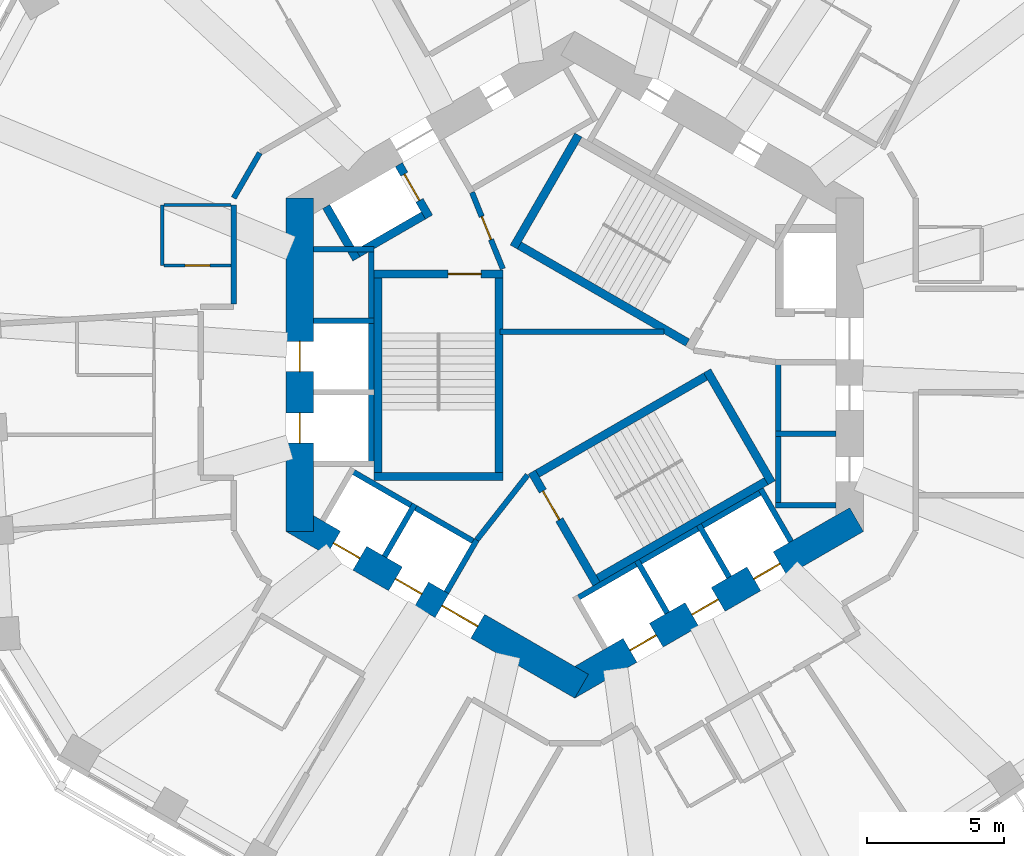
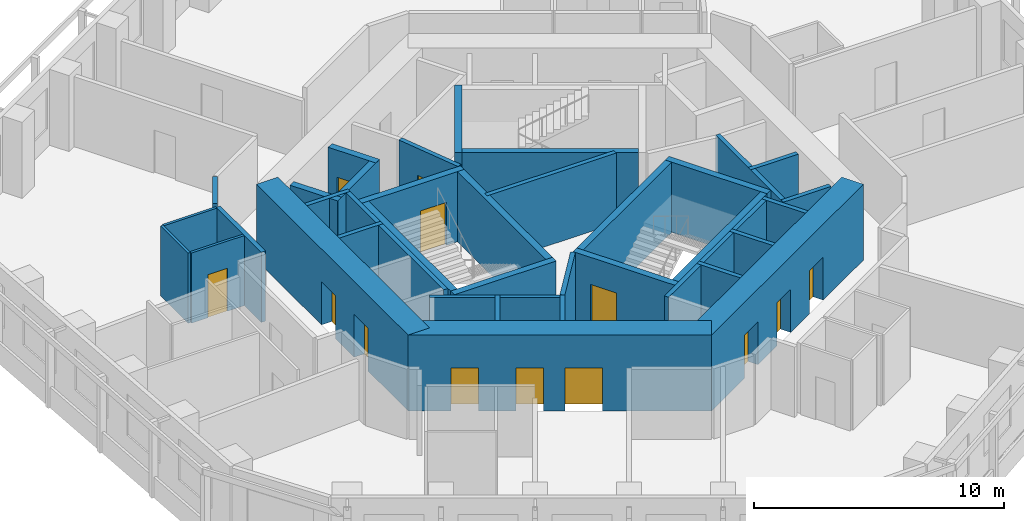
# One storey, part 5 of 11: 37 walls, 13 doors, 13 openings.
"""IFC4 building model written with IfcOpenShell, lengths in metres."""

import ifcopenshell
import ifcopenshell.guid

model = None  # the IFC model being written
_history = None  # IfcOwnerHistory: only IFC2X3 demands one
_inside = {}  # id of a spatial element -> (the spatial element, [elements in it])
_under = {}  # id of a project, library or spatial element -> (it, [spatial elements below it])
_declared = {}  # id of a project -> (the project, [libraries it declares])
_typed = {}  # id of a type object -> (the type object, [elements of that type])
_made_of = {}  # id of a material, layer set ... -> (it, [elements and type objects made of it])


def new_model(schema):
    """Start an empty IFC model of exactly this schema.

    Asked for "IFC4X3", IfcOpenShell would pick the latest addendum, in which some entities
    have other attributes; the version numbers below select the first issue.
    IFC2X3 requires an IfcOwnerHistory on every rooted entity: one is made here for all.
    """
    global model, _history
    if schema == "IFC4X3":
        model = ifcopenshell.file(schema_version=(4, 3, 0, 0))
    else:
        model = ifcopenshell.file(schema=schema)
    _inside.clear()
    _under.clear()
    _declared.clear()
    _typed.clear()
    _made_of.clear()
    _history = None
    if model.schema == "IFC2X3":
        org = make("IfcOrganization", Name="unknown")
        user = make(
            "IfcPersonAndOrganization",
            ThePerson=make("IfcPerson", FamilyName="unknown"),
            TheOrganization=org,
        )
        app = make(
            "IfcApplication",
            ApplicationDeveloper=org,
            Version="unknown",
            ApplicationFullName="unknown",
            ApplicationIdentifier="unknown",
        )
        _history = make(
            "IfcOwnerHistory",
            OwningUser=user,
            OwningApplication=app,
            ChangeAction="ADDED",
            CreationDate=0,
        )
    return model


def make(cls, **values):
    """One entity of the class cls with the attributes given. An attribute that is None is left unset."""
    return model.create_entity(
        cls, **{name: value for name, value in values.items() if value is not None}
    )


def rooted(cls, **values):
    """An entity with a GlobalId (a new one), such as an element, a storey or a relation."""
    return make(cls, GlobalId=ifcopenshell.guid.new(), OwnerHistory=_history, **values)


def si_unit(unit_type, name, prefix=None):
    """IfcSIUnit, for example si_unit("LENGTHUNIT", "METRE", prefix="MILLI")."""
    return make("IfcSIUnit", UnitType=unit_type, Prefix=prefix, Name=name)


def assignment(units):
    """IfcUnitAssignment: the units of a project."""
    return None if units is None else make("IfcUnitAssignment", Units=units)


def point(xyz):
    """IfcCartesianPoint."""
    return None if xyz is None else make("IfcCartesianPoint", Coordinates=xyz)


def direction(xyz):
    """IfcDirection."""
    return None if xyz is None else make("IfcDirection", DirectionRatios=xyz)


def frame(location, z_axis=None, x_axis=None):
    """IfcAxis2Placement3D, a coordinate frame: its origin and axes. An axis left out is left unset."""
    return make(
        "IfcAxis2Placement3D",
        Location=point(location),
        Axis=direction(z_axis),
        RefDirection=direction(x_axis),
    )


def frame_2d(location, x_axis=None):
    """IfcAxis2Placement2D, a coordinate frame in the plane: its origin and x axis."""
    return make(
        "IfcAxis2Placement2D", Location=point(location), RefDirection=direction(x_axis)
    )


def origin():
    """The frame at (0, 0, 0) with its axes left unset."""
    return frame((0.0, 0.0, 0.0))


def place(relative_to, where):
    """IfcLocalPlacement: puts the frame where relative to a parent placement (None: the world)."""
    return make(
        "IfcLocalPlacement", PlacementRelTo=relative_to, RelativePlacement=where
    )


def context(
    kind, dimensions, precision=None, world=None, true_north=None, identifier=None
):
    """IfcGeometricRepresentationContext, for example the 3D "Model" context."""
    return make(
        "IfcGeometricRepresentationContext",
        ContextIdentifier=identifier,
        ContextType=kind,
        CoordinateSpaceDimension=dimensions,
        Precision=precision,
        WorldCoordinateSystem=world,
        TrueNorth=true_north,
    )


def subcontext(parent, identifier, kind, view, scale=None):
    """IfcGeometricRepresentationSubContext, for example "Body" below "Model"."""
    return make(
        "IfcGeometricRepresentationSubContext",
        ContextIdentifier=identifier,
        ContextType=kind,
        ParentContext=parent,
        TargetScale=scale,
        TargetView=view,
    )


def project(units=None, contexts=None):
    """IfcProject with its units and contexts."""
    return rooted(
        "IfcProject",
        Name="project",
        RepresentationContexts=contexts,
        UnitsInContext=assignment(units),
    )


def spatial(cls, under=None, at=None, **own):
    """A site, building, storey or space (cls), placed at a placement, below another one or the project."""
    s = rooted(cls, ObjectPlacement=at, **own)
    if under is not None:
        _under.setdefault(under.id(), (under, []))[1].append(s)
    return s


def profile(cls, at=None, kind="AREA", **sizes):
    """A parametric profile (cls). Its sizes go by their IFC names, for example OverallWidth=200.0."""
    return make(cls, ProfileType=kind, Position=at, **sizes)


def rectangle(**sizes):
    """IfcRectangleProfileDef."""
    return profile("IfcRectangleProfileDef", **sizes)


def extrude(swept, where, along, depth):
    """IfcExtrudedAreaSolid: the profile swept, set in the frame where, extruded along a direction by depth."""
    return make(
        "IfcExtrudedAreaSolid",
        SweptArea=swept,
        Position=where,
        ExtrudedDirection=direction(along),
        Depth=depth,
    )


def shape(context_of_items, identifier, shape_type, items):
    """IfcShapeRepresentation: the items that make up one representation, for example the "Body"."""
    return make(
        "IfcShapeRepresentation",
        ContextOfItems=context_of_items,
        RepresentationIdentifier=identifier,
        RepresentationType=shape_type,
        Items=items,
    )


def material(Name=None, Category=None):
    """IfcMaterial."""
    return make("IfcMaterial", Name=Name, Category=Category)


def layer(
    of_material, thickness, ventilated=None, Name=None, Category=None, Priority=None
):
    """IfcMaterialLayer: one layer of a wall or slab, of a material (None: an air gap)."""
    return make(
        "IfcMaterialLayer",
        Material=of_material,
        LayerThickness=thickness,
        IsVentilated=ventilated,
        Name=Name,
        Category=Category,
        Priority=Priority,
    )


def layer_set(layers, Name=None):
    """IfcMaterialLayerSet."""
    return make("IfcMaterialLayerSet", MaterialLayers=layers, LayerSetName=Name)


def made_of(thing, what):
    """Note that an element or type object is made of a material, layer set ...; save() writes the relation."""
    if what is not None:
        _made_of.setdefault(what.id(), (what, []))[1].append(thing)
    return thing


def type_object(cls, material=None, **own):
    """A type object (cls), such as IfcWallType, which elements share."""
    return made_of(rooted(cls, **own), material)


def element(
    cls,
    number,
    at=None,
    inside=None,
    cuts=None,
    type_object=None,
    material=None,
    context=None,
    identifier="Body",
    shape_type=None,
    held_by="IfcProductDefinitionShape",
    body=None,
    shapes=None,
    **own,
):
    """One element of the class cls, such as IfcWall. Its Tag is "e" and its number.

    at: its placement. inside: the storey or other place that contains it. cuts: it is an
    opening in that element (IfcRelVoidsElement). A single representation is given by context,
    identifier, shape_type and body (its items); several are given by shapes. held_by: the class
    of the entity that holds the representations. save() writes the other relations.
    """
    e = rooted(cls, Tag="e%d" % number, ObjectPlacement=at, **own)
    if body is not None:
        shapes = [shape(context, identifier, shape_type, body)]
    if shapes is not None:
        e.Representation = make(held_by, Representations=shapes)
    if inside is not None:
        _inside.setdefault(inside.id(), (inside, []))[1].append(e)
    if cuts is not None:
        rooted(
            "IfcRelVoidsElement", RelatingBuildingElement=cuts, RelatedOpeningElement=e
        )
    if type_object is not None:
        _typed.setdefault(type_object.id(), (type_object, []))[1].append(e)
    return made_of(e, material)


def fill(opening, filler):
    """IfcRelFillsElement: the door or window that sits in an opening."""
    return rooted(
        "IfcRelFillsElement",
        RelatingOpeningElement=opening,
        RelatedBuildingElement=filler,
    )


def aggregate(whole, parts):
    """IfcRelAggregates: a whole, such as a stair, and the parts it consists of."""
    return rooted("IfcRelAggregates", RelatingObject=whole, RelatedObjects=parts)


def save(model, path):
    """Write the relations noted so far, then the file.

    IfcRelAggregates (storeys below a building ...), IfcRelContainedInSpatialStructure (elements
    in a storey), IfcRelDefinesByType, IfcRelAssociatesMaterial and IfcRelDeclares: one each for
    every whole, place, type object, material and project.
    """
    for whole, parts in _under.values():
        aggregate(whole, parts)
    for where, things in _inside.values():
        rooted(
            "IfcRelContainedInSpatialStructure",
            RelatedElements=things,
            RelatingStructure=where,
        )
    for kind, things in _typed.values():
        rooted("IfcRelDefinesByType", RelatedObjects=things, RelatingType=kind)
    for what, things in _made_of.values():
        rooted("IfcRelAssociatesMaterial", RelatedObjects=things, RelatingMaterial=what)
    for by, libraries in _declared.values():
        rooted("IfcRelDeclares", RelatingContext=by, RelatedDefinitions=libraries)
    model.write(path)


model = new_model("IFC4")

# Units and contexts
model_context = context("Model", 3, precision=1e-05, world=origin(), true_north=direction((0.0, 1.0)))
body_context = subcontext(model_context, "Body", "Model", "MODEL_VIEW")
ifc_project = project(units=[si_unit("LENGTHUNIT", "METRE"), si_unit("AREAUNIT", "SQUARE_METRE"), si_unit("VOLUMEUNIT", "CUBIC_METRE"), si_unit("PLANEANGLEUNIT", "RADIAN"), si_unit("MASSUNIT", "GRAM", prefix="KILO")], contexts=[model_context])

# Site, building, storey
site_placement = place(None, origin())
site = spatial("IfcSite", under=ifc_project, at=site_placement, CompositionType="ELEMENT")
building_placement = place(site_placement, origin())
building = spatial("IfcBuilding", under=site, at=building_placement, Name="Vanh Sen Convention Tower", CompositionType="ELEMENT")
storey_placement = place(building_placement, frame((0.0, 0.0, 172.5)))
storey = spatial("IfcBuildingStorey", under=building, at=storey_placement, Name="L42", CompositionType="ELEMENT", Elevation=172.5)

# Walls
ifc_material_1 = material(Name="Moisture-resistant gypsum board on steel studs", Category="steel")
ifc_layer_1 = layer(ifc_material_1, 0.1201171875)
ifc_layer_set_1 = layer_set([ifc_layer_1], Name="Moisture-resistant gypsum board on steel studs")
wall_type_1 = type_object("IfcWallType", Name="Bathroom partition 120", PredefinedType="PARTITIONING", material=ifc_layer_set_1)
wall_1_placement = place(storey_placement, frame((-15.0, 3.6123046875, 0.0), z_axis=(0.0, 0.0, 1.0), x_axis=(0.0, 1.0, 0.0)))
element("IfcWall", 1, at=wall_1_placement, inside=storey, type_object=wall_type_1, Name="Bathroom partition 120", PredefinedType="PARTITIONING", context=body_context, shape_type="SweptSolid", body=[
    extrude(rectangle(XDim=2.199951171875, YDim=0.1201171875, at=frame_2d((1.10009765625, 0.0))), origin(), (0.0, 0.0, 1.0), 3.419921875),
])
wall_2_placement = place(storey_placement, frame((-14.93994140625, 5.812255859375, 0.0), z_axis=(0.0, 0.0, 1.0), x_axis=(1.0, 0.0, 0.0)))
element("IfcWall", 2, at=wall_2_placement, inside=storey, type_object=wall_type_1, Name="Bathroom partition 120", PredefinedType="PARTITIONING", context=body_context, shape_type="SweptSolid", body=[
    extrude(rectangle(XDim=2.43994140625, YDim=0.1201171875, at=frame_2d((1.219970703125, 0.0))), origin(), (0.0, 0.0, 1.0), 3.419921875),
])

# Wall, opening, door
wall_3_placement = place(storey_placement, frame((-12.5, 3.6123046875, 0.0), z_axis=(0.0, 0.0, 1.0), x_axis=(-1.0, 0.0, 0.0)))
wall_3 = element("IfcWall", 3, at=wall_3_placement, inside=storey, type_object=wall_type_1, Name="Bathroom partition 120", PredefinedType="PARTITIONING", context=body_context, shape_type="SweptSolid", body=[
    extrude(rectangle(XDim=2.43994140625, YDim=0.1201171875, at=frame_2d((1.219970703125, 0.0))), origin(), (0.0, 0.0, 1.0), 3.419921875),
])
opening_1_placement = place(wall_3_placement, frame((0.77001953125, 0.0, 0.0)))
opening_1 = element("IfcOpeningElement", 4, at=opening_1_placement, cuts=wall_3, Name="Opening D41108", PredefinedType="OPENING", context=body_context, shape_type="SweptSolid", body=[
    extrude(rectangle(XDim=0.89990234375, YDim=2.10009765625, at=frame_2d((0.449951171875, 1.050048828125))), frame((0.0, 0.070068359375, 0.0), z_axis=(0.0, -1.0, 0.0), x_axis=(1.0, 0.0, 0.0)), (0.0, 0.0, 1.0), 0.14013671875),
])
ifc_material_2 = material(Name="Laminate door in steel frame", Category="steel")
door_type_1 = type_object("IfcDoorType", Name="Room internal door 900", OperationType="SINGLE_SWING_LEFT", PredefinedType="DOOR", material=ifc_material_2)
door_1_placement = place(opening_1_placement, origin())
door_1 = element("IfcDoor", 5, at=door_1_placement, inside=storey, type_object=door_type_1, Name="Internal room door D41108", OperationType="SINGLE_SWING_LEFT", OverallHeight=2.10009765625, OverallWidth=0.89990234375, PredefinedType="DOOR", context=body_context, shape_type="SweptSolid", body=[
    extrude(rectangle(XDim=0.89990234375, YDim=2.10009765625, at=frame_2d((0.449951171875, 1.050048828125))), frame((0.0, 0.02490234375, 0.0), z_axis=(0.0, -1.0, 0.0), x_axis=(1.0, 0.0, 0.0)), (0.0, 0.0, 1.0), 0.050048828125),
])
fill(opening_1, door_1)

# Wall, openings, doors
ifc_material_3 = material(Name="Concrete C80/95", Category="concrete")
ifc_layer_2 = layer(ifc_material_3, 1.0)
ifc_layer_set_2 = layer_set([ifc_layer_2], Name="Concrete C80/95")
wall_type_2 = type_object("IfcWallType", Name="Core outer wall 1000 C80/95", PredefinedType="SHEAR", material=ifc_layer_set_2)
wall_4_placement = place(storey_placement, frame((-10.0, 6.062255859375, 0.0), z_axis=(0.0, 0.0, 1.0), x_axis=(0.0, -1.0, 0.0)))
wall_4 = element("IfcWall", 6, at=wall_4_placement, inside=storey, type_object=wall_type_2, Name="Core wall face W L42", PredefinedType="SHEAR", context=body_context, shape_type="SweptSolid", body=[
    extrude(rectangle(XDim=12.12451171875, YDim=1.0, at=frame_2d((6.062255859375, 0.0))), origin(), (0.0, 0.0, 1.0), 3.699951171875),
])
opening_2_placement = place(wall_4_placement, frame((5.212158203125, 0.0, 0.0)))
opening_2 = element("IfcOpeningElement", 7, at=opening_2_placement, cuts=wall_4, Name="Opening LD-HR1", PredefinedType="OPENING", context=body_context, shape_type="SweptSolid", body=[
    extrude(rectangle(XDim=1.10009765625, YDim=2.10009765625, at=frame_2d((0.550048828125, 1.050048828125))), frame((0.0, 0.510009765625, 0.0), z_axis=(0.0, -1.0, 0.0), x_axis=(1.0, 0.0, 0.0)), (0.0, 0.0, 1.0), 1.02001953125),
])
opening_3_placement = place(wall_4_placement, frame((7.812255859375, 0.0, 0.0)))
opening_3 = element("IfcOpeningElement", 8, at=opening_3_placement, cuts=wall_4, Name="Opening LD-HR2", PredefinedType="OPENING", context=body_context, shape_type="SweptSolid", body=[
    extrude(rectangle(XDim=1.10009765625, YDim=2.10009765625, at=frame_2d((0.550048828125, 1.050048828125))), frame((0.0, 0.510009765625, 0.0), z_axis=(0.0, -1.0, 0.0), x_axis=(1.0, 0.0, 0.0)), (0.0, 0.0, 1.0), 1.02001953125),
])
ifc_material_4 = material(Name="Stainless steel", Category="steel")
door_type_2 = type_object("IfcDoorType", Name="Lift landing door 1100", OperationType="DOUBLE_DOOR_SLIDING", PredefinedType="DOOR", material=ifc_material_4)
door_2_placement = place(opening_2_placement, origin())
door_2 = element("IfcDoor", 9, at=door_2_placement, inside=storey, type_object=door_type_2, Name="Lift HR1 landing door LD-HR1", OperationType="DOUBLE_DOOR_SLIDING", OverallHeight=2.10009765625, OverallWidth=1.10009765625, PredefinedType="DOOR", context=body_context, shape_type="SweptSolid", body=[
    extrude(rectangle(XDim=1.10009765625, YDim=2.10009765625, at=frame_2d((0.550048828125, 1.050048828125))), frame((0.0, 0.02490234375, 0.0), z_axis=(0.0, -1.0, 0.0), x_axis=(1.0, 0.0, 0.0)), (0.0, 0.0, 1.0), 0.050048828125),
])
fill(opening_2, door_2)
door_3_placement = place(opening_3_placement, origin())
door_3 = element("IfcDoor", 10, at=door_3_placement, inside=storey, type_object=door_type_2, Name="Lift HR2 landing door LD-HR2", OperationType="DOUBLE_DOOR_SLIDING", OverallHeight=2.10009765625, OverallWidth=1.10009765625, PredefinedType="DOOR", context=body_context, shape_type="SweptSolid", body=[
    extrude(rectangle(XDim=1.10009765625, YDim=2.10009765625, at=frame_2d((0.550048828125, 1.050048828125))), frame((0.0, 0.02490234375, 0.0), z_axis=(0.0, -1.0, 0.0), x_axis=(1.0, 0.0, 0.0)), (0.0, 0.0, 1.0), 0.050048828125),
])
fill(opening_3, door_3)

wall_5_placement = place(storey_placement, frame((-10.25, -5.629150390625, 0.0), z_axis=(0.0, 0.0, 1.0), x_axis=(0.866022616891, -0.50000482701, 0.0)))
wall_5 = element("IfcWall", 11, at=wall_5_placement, inside=storey, type_object=wall_type_2, Name="Core wall face SW L42", PredefinedType="SHEAR", context=body_context, shape_type="SweptSolid", body=[
    extrude(rectangle(XDim=12.12451171875, YDim=1.0, at=frame_2d((6.062255859375, 0.0))), origin(), (0.0, 0.0, 1.0), 3.699951171875),
])
opening_4_placement = place(wall_5_placement, frame((6.26220703125, 0.0, 0.0)))
opening_4 = element("IfcOpeningElement", 12, at=opening_4_placement, cuts=wall_5, Name="Opening D41003", PredefinedType="OPENING", context=body_context, shape_type="SweptSolid", body=[
    extrude(rectangle(XDim=1.5, YDim=2.10009765625, at=frame_2d((0.75, 1.050048828125))), frame((0.0, 0.510009765625, 0.0), z_axis=(0.0, -1.0, 0.0), x_axis=(1.0, 0.0, 0.0)), (0.0, 0.0, 1.0), 1.02001953125),
])
opening_5_placement = place(wall_5_placement, frame((1.712158203125, 0.0, 0.0)))
opening_5 = element("IfcOpeningElement", 13, at=opening_5_placement, cuts=wall_5, Name="Opening LD-HR3", PredefinedType="OPENING", context=body_context, shape_type="SweptSolid", body=[
    extrude(rectangle(XDim=1.10009765625, YDim=2.10009765625, at=frame_2d((0.550048828125, 1.050048828125))), frame((0.0, 0.510009765625, 0.0), z_axis=(0.0, -1.0, 0.0), x_axis=(1.0, 0.0, 0.0)), (0.0, 0.0, 1.0), 1.02001953125),
])
opening_6_placement = place(wall_5_placement, frame((4.312255859375, 0.0, 0.0)))
opening_6 = element("IfcOpeningElement", 14, at=opening_6_placement, cuts=wall_5, Name="Opening LD-HR4", PredefinedType="OPENING", context=body_context, shape_type="SweptSolid", body=[
    extrude(rectangle(XDim=1.10009765625, YDim=2.10009765625, at=frame_2d((0.550048828125, 1.050048828125))), frame((0.0, 0.510009765625, 0.0), z_axis=(0.0, -1.0, 0.0), x_axis=(1.0, 0.0, 0.0)), (0.0, 0.0, 1.0), 1.02001953125),
])
door_4_placement = place(opening_5_placement, origin())
door_4 = element("IfcDoor", 15, at=door_4_placement, inside=storey, type_object=door_type_2, Name="Lift HR3 landing door LD-HR3", OperationType="DOUBLE_DOOR_SLIDING", OverallHeight=2.10009765625, OverallWidth=1.10009765625, PredefinedType="DOOR", context=body_context, shape_type="SweptSolid", body=[
    extrude(rectangle(XDim=1.10009765625, YDim=2.10009765625, at=frame_2d((0.550048828125, 1.050048828125))), frame((0.0, 0.02490234375, 0.0), z_axis=(0.0, -1.0, 0.0), x_axis=(1.0, 0.0, 0.0)), (0.0, 0.0, 1.0), 0.050048828125),
])
fill(opening_5, door_4)
door_5_placement = place(opening_6_placement, origin())
door_5 = element("IfcDoor", 16, at=door_5_placement, inside=storey, type_object=door_type_2, Name="Lift HR4 landing door LD-HR4", OperationType="DOUBLE_DOOR_SLIDING", OverallHeight=2.10009765625, OverallWidth=1.10009765625, PredefinedType="DOOR", context=body_context, shape_type="SweptSolid", body=[
    extrude(rectangle(XDim=1.10009765625, YDim=2.10009765625, at=frame_2d((0.550048828125, 1.050048828125))), frame((0.0, 0.02490234375, 0.0), z_axis=(0.0, -1.0, 0.0), x_axis=(1.0, 0.0, 0.0)), (0.0, 0.0, 1.0), 0.050048828125),
])
fill(opening_6, door_5)
ifc_material_5 = material(Name="Steel S355", Category="steel")
door_type_3 = type_object("IfcDoorType", Name="Stair lobby door 1500", OperationType="DOUBLE_DOOR_SINGLE_SWING", PredefinedType="DOOR", material=ifc_material_5)
door_6_placement = place(opening_4_placement, origin())
door_6 = element("IfcDoor", 17, at=door_6_placement, inside=storey, type_object=door_type_3, Name="Stair lobby door D41003", OperationType="DOUBLE_DOOR_SINGLE_SWING", OverallHeight=2.10009765625, OverallWidth=1.5, PredefinedType="DOOR", context=body_context, shape_type="SweptSolid", body=[
    extrude(rectangle(XDim=1.5, YDim=2.10009765625, at=frame_2d((0.75, 1.050048828125))), frame((0.0, 0.02490234375, 0.0), z_axis=(0.0, -1.0, 0.0), x_axis=(1.0, 0.0, 0.0)), (0.0, 0.0, 1.0), 0.050048828125),
])
fill(opening_4, door_6)

wall_6_placement = place(storey_placement, frame((-0.25, -11.69140625, 0.0), z_axis=(0.0, 0.0, 1.0), x_axis=(0.866022616891, 0.50000482701, 0.0)))
wall_6 = element("IfcWall", 18, at=wall_6_placement, inside=storey, type_object=wall_type_2, Name="Core wall face SE L42", PredefinedType="SHEAR", context=body_context, shape_type="SweptSolid", body=[
    extrude(rectangle(XDim=12.12451171875, YDim=1.0, at=frame_2d((6.062255859375, 0.0))), origin(), (0.0, 0.0, 1.0), 3.699951171875),
])
opening_7_placement = place(wall_6_placement, frame((2.6123046875, 0.0, 0.0)))
opening_7 = element("IfcOpeningElement", 19, at=opening_7_placement, cuts=wall_6, Name="Opening LD-HR5", PredefinedType="OPENING", context=body_context, shape_type="SweptSolid", body=[
    extrude(rectangle(XDim=1.10009765625, YDim=2.10009765625, at=frame_2d((0.550048828125, 1.050048828125))), frame((0.0, 0.510009765625, 0.0), z_axis=(0.0, -1.0, 0.0), x_axis=(1.0, 0.0, 0.0)), (0.0, 0.0, 1.0), 1.02001953125),
])
opening_8_placement = place(wall_6_placement, frame((5.212158203125, 0.0, 0.0)))
opening_8 = element("IfcOpeningElement", 20, at=opening_8_placement, cuts=wall_6, Name="Opening LD-HR6", PredefinedType="OPENING", context=body_context, shape_type="SweptSolid", body=[
    extrude(rectangle(XDim=1.10009765625, YDim=2.10009765625, at=frame_2d((0.550048828125, 1.050048828125))), frame((0.0, 0.510009765625, 0.0), z_axis=(0.0, -1.0, 0.0), x_axis=(1.0, 0.0, 0.0)), (0.0, 0.0, 1.0), 1.02001953125),
])
opening_9_placement = place(wall_6_placement, frame((7.812255859375, 0.0, 0.0)))
opening_9 = element("IfcOpeningElement", 21, at=opening_9_placement, cuts=wall_6, Name="Opening LD-SV1", PredefinedType="OPENING", context=body_context, shape_type="SweptSolid", body=[
    extrude(rectangle(XDim=1.10009765625, YDim=2.10009765625, at=frame_2d((0.550048828125, 1.050048828125))), frame((0.0, 0.510009765625, 0.0), z_axis=(0.0, -1.0, 0.0), x_axis=(1.0, 0.0, 0.0)), (0.0, 0.0, 1.0), 1.02001953125),
])
door_7_placement = place(opening_7_placement, origin())
door_7 = element("IfcDoor", 22, at=door_7_placement, inside=storey, type_object=door_type_2, Name="Lift HR5 landing door LD-HR5", OperationType="DOUBLE_DOOR_SLIDING", OverallHeight=2.10009765625, OverallWidth=1.10009765625, PredefinedType="DOOR", context=body_context, shape_type="SweptSolid", body=[
    extrude(rectangle(XDim=1.10009765625, YDim=2.10009765625, at=frame_2d((0.550048828125, 1.050048828125))), frame((0.0, 0.02490234375, 0.0), z_axis=(0.0, -1.0, 0.0), x_axis=(1.0, 0.0, 0.0)), (0.0, 0.0, 1.0), 0.050048828125),
])
fill(opening_7, door_7)
door_8_placement = place(opening_8_placement, origin())
door_8 = element("IfcDoor", 23, at=door_8_placement, inside=storey, type_object=door_type_2, Name="Lift HR6 landing door LD-HR6", OperationType="DOUBLE_DOOR_SLIDING", OverallHeight=2.10009765625, OverallWidth=1.10009765625, PredefinedType="DOOR", context=body_context, shape_type="SweptSolid", body=[
    extrude(rectangle(XDim=1.10009765625, YDim=2.10009765625, at=frame_2d((0.550048828125, 1.050048828125))), frame((0.0, 0.02490234375, 0.0), z_axis=(0.0, -1.0, 0.0), x_axis=(1.0, 0.0, 0.0)), (0.0, 0.0, 1.0), 0.050048828125),
])
fill(opening_8, door_8)
door_9_placement = place(opening_9_placement, origin())
door_9 = element("IfcDoor", 24, at=door_9_placement, inside=storey, type_object=door_type_2, Name="Lift SV1 landing door LD-SV1", OperationType="DOUBLE_DOOR_SLIDING", OverallHeight=2.10009765625, OverallWidth=1.10009765625, PredefinedType="DOOR", context=body_context, shape_type="SweptSolid", body=[
    extrude(rectangle(XDim=1.10009765625, YDim=2.10009765625, at=frame_2d((0.550048828125, 1.050048828125))), frame((0.0, 0.02490234375, 0.0), z_axis=(0.0, -1.0, 0.0), x_axis=(1.0, 0.0, 0.0)), (0.0, 0.0, 1.0), 0.050048828125),
])
fill(opening_9, door_9)

# Walls
ifc_material_6 = material(Name="Masonry blockwork", Category="masonry")
ifc_layer_3 = layer(ifc_material_6, 0.199951171875)
ifc_layer_set_3 = layer_set([ifc_layer_3], Name="Masonry blockwork")
wall_type_3 = type_object("IfcWallType", Name="Core partition 200", PredefinedType="PARTITIONING", material=ifc_layer_set_3)
wall_7_placement = place(storey_placement, frame((-2.719970703125, 1.199951171875, 0.0), z_axis=(0.0, 0.0, 1.0), x_axis=(1.0, 0.0, 0.0)))
element("IfcWall", 25, at=wall_7_placement, inside=storey, type_object=wall_type_3, Name="Core partition L42", PredefinedType="PARTITIONING", context=body_context, shape_type="SweptSolid", body=[
    extrude(rectangle(XDim=5.96142578125, YDim=0.199951171875, at=frame_2d((2.980712890625, 0.0))), origin(), (0.0, 0.0, 1.0), 3.419921875),
])
ifc_material_7 = material(Name="Gypsum board on steel studs with mineral wool", Category="steel")
ifc_layer_4 = layer(ifc_material_7, 0.199951171875)
ifc_layer_set_4 = layer_set([ifc_layer_4], Name="Gypsum board on steel studs with mineral wool")
wall_type_4 = type_object("IfcWallType", Name="Corridor partition wall 200", PredefinedType="PARTITIONING", material=ifc_layer_set_4)
wall_8_placement = place(storey_placement, frame((-12.39990234375, 5.812255859375, 0.0), z_axis=(0.0, 0.0, 1.0), x_axis=(0.0, -1.0, 0.0)))
element("IfcWall", 26, at=wall_8_placement, inside=storey, type_object=wall_type_4, Name="Corridor partition wall 200", PredefinedType="PARTITIONING", context=body_context, shape_type="SweptSolid", body=[
    extrude(rectangle(XDim=3.611328125, YDim=0.199951171875, at=frame_2d((1.8056640625, 0.0))), origin(), (0.0, 0.0, 1.0), 3.419921875),
])
wall_9_placement = place(storey_placement, frame((-11.449951171875, 7.70751953125, 0.0), z_axis=(0.0, 0.0, 1.0), x_axis=(-0.500022797313, -0.86601224135, 0.0)))
element("IfcWall", 27, at=wall_9_placement, inside=storey, type_object=wall_type_4, Name="Corridor partition wall 200", PredefinedType="PARTITIONING", context=body_context, shape_type="SweptSolid", body=[
    extrude(rectangle(XDim=1.89990234375, YDim=0.199951171875, at=frame_2d((0.949951171875, 0.0))), origin(), (0.0, 0.0, 1.0), 3.419921875),
])

# Wall, opening, door
ifc_material_8 = material(Name="Concrete C60/75", Category="concrete")
ifc_layer_5 = layer(ifc_material_8, 0.300048828125)
ifc_layer_set_5 = layer_set([ifc_layer_5], Name="Concrete C60/75")
wall_type_5 = type_object("IfcWallType", Name="Fire-fighting lift shaft wall 300", PredefinedType="SHEAR", material=ifc_layer_set_5)
wall_10_placement = place(storey_placement, frame((-5.29541015625, 5.3720703125, 0.0), z_axis=(0.0, 0.0, 1.0), x_axis=(-0.500077893725, 0.86598042715, 0.0)))
wall_10 = element("IfcWall", 28, at=wall_10_placement, inside=storey, type_object=wall_type_5, Name="Fire-fighting lift shaft wall L42", PredefinedType="SHEAR", context=body_context, shape_type="SweptSolid", body=[
    extrude(rectangle(XDim=2.199951171875, YDim=0.300048828125, at=frame_2d((1.10009765625, 0.0))), origin(), (0.0, 0.0, 1.0), 3.419921875),
])
opening_10_placement = place(wall_10_placement, frame((0.699951171875, 0.0, 0.0)))
opening_10 = element("IfcOpeningElement", 29, at=opening_10_placement, cuts=wall_10, Name="Opening LD-FF2", PredefinedType="OPENING", context=body_context, shape_type="SweptSolid", body=[
    extrude(rectangle(XDim=1.10009765625, YDim=2.10009765625, at=frame_2d((0.550048828125, 1.050048828125))), frame((0.0, 0.159912109375, 0.0), z_axis=(0.0, -1.0, 0.0), x_axis=(1.0, 0.0, 0.0)), (0.0, 0.0, 1.0), 0.320068359375),
])
door_type_4 = type_object("IfcDoorType", Name="Fire-fighting lift landing door 1100", OperationType="DOUBLE_DOOR_SLIDING", PredefinedType="DOOR", material=ifc_material_4)
door_10_placement = place(opening_10_placement, origin())
door_10 = element("IfcDoor", 30, at=door_10_placement, inside=storey, type_object=door_type_4, Name="Lift FF2 landing door LD-FF2", OperationType="DOUBLE_DOOR_SLIDING", OverallHeight=2.10009765625, OverallWidth=1.10009765625, PredefinedType="DOOR", context=body_context, shape_type="SweptSolid", body=[
    extrude(rectangle(XDim=1.10009765625, YDim=2.10009765625, at=frame_2d((0.550048828125, 1.050048828125))), frame((0.0, 0.02490234375, 0.0), z_axis=(0.0, -1.0, 0.0), x_axis=(1.0, 0.0, 0.0)), (0.0, 0.0, 1.0), 0.050048828125),
])
fill(opening_10, door_10)

# Walls
wall_11_placement = place(storey_placement, frame((-5.240478515625, 5.576904296875, 0.0), z_axis=(0.0, 0.0, 1.0), x_axis=(-0.866014461049, -0.500018952895, 0.0)))
element("IfcWall", 31, at=wall_11_placement, inside=storey, type_object=wall_type_5, Name="Fire-fighting lift shaft wall L42", PredefinedType="SHEAR", context=body_context, shape_type="SweptSolid", body=[
    extrude(rectangle(XDim=3.349853515625, YDim=0.300048828125, at=frame_2d((1.6748046875, 0.0))), origin(), (0.0, 0.0, 1.0), 3.419921875),
])
wall_12_placement = place(storey_placement, frame((-7.936767578125, 3.846923828125, 0.0), z_axis=(0.0, 0.0, 1.0), x_axis=(-0.50002983664, 0.866008176907, 0.0)))
element("IfcWall", 32, at=wall_12_placement, inside=storey, type_object=wall_type_5, Name="Fire-fighting lift shaft wall L42", PredefinedType="SHEAR", context=body_context, shape_type="SweptSolid", body=[
    extrude(rectangle(XDim=2.199951171875, YDim=0.300048828125, at=frame_2d((1.10009765625, 0.0))), origin(), (0.0, 0.0, 1.0), 3.419921875),
])
ifc_material_9 = material(Name="Concrete C40/50", Category="concrete")
ifc_layer_6 = layer(ifc_material_9, 0.199951171875)
ifc_layer_set_6 = layer_set([ifc_layer_6], Name="Concrete C40/50")
wall_type_6 = type_object("IfcWallType", Name="Lift shaft wall 200", PredefinedType="PARTITIONING", material=ifc_layer_set_6)
wall_13_placement = place(storey_placement, frame((7.39990234375, -5.199951171875, 0.0), z_axis=(0.0, 0.0, 1.0), x_axis=(0.0, 1.0, 0.0)))
element("IfcWall", 33, at=wall_13_placement, inside=storey, type_object=wall_type_6, Name="Lift shaft wall L42", PredefinedType="PARTITIONING", context=body_context, shape_type="SweptSolid", body=[
    extrude(rectangle(XDim=5.39990234375, YDim=0.199951171875, at=frame_2d((2.699951171875, 0.0))), origin(), (0.0, 0.0, 1.0), 3.419921875),
])
for number, where, z_axis, x_axis, name in (
    (34, (7.300048828125, -5.10009765625, 0.0), (0.0, 0.0, 1.0), (1.0, 0.0, 0.0), "Lift shaft wall L42"),
    (35, (7.300048828125, -2.5, 0.0), (0.0, 0.0, 1.0), (1.0, 0.0, 0.0), "Lift shaft wall L42"),
):
    element("IfcWall", number, at=place(storey_placement, frame(where, z_axis=z_axis, x_axis=x_axis)), inside=storey, type_object=wall_type_6, Name=name, PredefinedType="PARTITIONING", context=body_context, shape_type="SweptSolid", body=[
        extrude(rectangle(XDim=2.199951171875, YDim=0.199951171875, at=frame_2d((1.10009765625, 0.0))), origin(), (0.0, 0.0, 1.0), 3.419921875),
    ])
wall_14_placement = place(storey_placement, frame((-7.39990234375, 4.300048828125, 0.0), z_axis=(0.0, 0.0, 1.0), x_axis=(0.0, -1.0, 0.0)))
element("IfcWall", 36, at=wall_14_placement, inside=storey, type_object=wall_type_6, Name="Lift shaft wall L42", PredefinedType="PARTITIONING", context=body_context, shape_type="SweptSolid", body=[
    extrude(rectangle(XDim=8.0, YDim=0.199951171875, at=frame_2d((4.0, 0.0))), origin(), (0.0, 0.0, 1.0), 3.419921875),
])
for number, where, z_axis, x_axis, name in (
    (37, (-7.300048828125, 4.199951171875, 0.0), (0.0, 0.0, 1.0), (-1.0, 0.0, 0.0), "Lift shaft wall L42"),
    (38, (-7.300048828125, 1.60009765625, 0.0), (0.0, 0.0, 1.0), (-1.0, 0.0, 0.0), "Lift shaft wall L42"),
):
    element("IfcWall", number, at=place(storey_placement, frame(where, z_axis=z_axis, x_axis=x_axis)), inside=storey, type_object=wall_type_6, Name=name, PredefinedType="PARTITIONING", context=body_context, shape_type="SweptSolid", body=[
        extrude(rectangle(XDim=2.199951171875, YDim=0.199951171875, at=frame_2d((1.10009765625, 0.0))), origin(), (0.0, 0.0, 1.0), 3.419921875),
    ])
wall_15_placement = place(storey_placement, frame((-8.203369140625, -3.80859375, 0.0), z_axis=(0.0, 0.0, 1.0), x_axis=(0.866028230842, -0.499995103361, 0.0)))
element("IfcWall", 39, at=wall_15_placement, inside=storey, type_object=wall_type_6, Name="Lift shaft wall L42", PredefinedType="PARTITIONING", context=body_context, shape_type="SweptSolid", body=[
    extrude(rectangle(XDim=5.39990234375, YDim=0.199951171875, at=frame_2d((2.699951171875, 0.0))), origin(), (0.0, 0.0, 1.0), 3.419921875),
])
wall_16_placement = place(storey_placement, frame((-5.815185546875, -5.072021484375, 0.0), z_axis=(0.0, 0.0, 1.0), x_axis=(-0.499946605688, -0.86605622881, 0.0)))
element("IfcWall", 40, at=wall_16_placement, inside=storey, type_object=wall_type_6, Name="Lift shaft wall L42", PredefinedType="PARTITIONING", context=body_context, shape_type="SweptSolid", body=[
    extrude(rectangle(XDim=2.199951171875, YDim=0.199951171875, at=frame_2d((1.10009765625, 0.0))), origin(), (0.0, 0.0, 1.0), 3.419921875),
])
wall_17_placement = place(storey_placement, frame((-3.5634765625, -6.3720703125, 0.0), z_axis=(0.0, 0.0, 1.0), x_axis=(-0.499994660107, -0.866028486751, 0.0)))
element("IfcWall", 41, at=wall_17_placement, inside=storey, type_object=wall_type_6, Name="Lift shaft wall L42", PredefinedType="PARTITIONING", context=body_context, shape_type="SweptSolid", body=[
    extrude(rectangle(XDim=2.19970703125, YDim=0.199951171875, at=frame_2d((1.099853515625, 0.0))), origin(), (0.0, 0.0, 1.0), 3.419921875),
])
wall_18_placement = place(storey_placement, frame((-0.02392578125, -8.55859375, 0.0), z_axis=(0.0, 0.0, 1.0), x_axis=(0.866026010844, 0.49999894854, 0.0)))
element("IfcWall", 42, at=wall_18_placement, inside=storey, type_object=wall_type_6, Name="Lift shaft wall L42", PredefinedType="PARTITIONING", context=body_context, shape_type="SweptSolid", body=[
    extrude(rectangle(XDim=8.0, YDim=0.199951171875, at=frame_2d((4.0, 0.0))), origin(), (0.0, 0.0, 1.0), 3.419921875),
])
for number, where, z_axis, x_axis, name in (
    (43, (2.264404296875, -7.1220703125, 0.0), (0.0, 0.0, 1.0), (0.500077893725, -0.86598042715, 0.0), "Lift shaft wall L42"),
    (44, (4.51611328125, -5.822021484375, 0.0), (0.0, 0.0, 1.0), (0.499946605688, -0.86605622881, 0.0), "Lift shaft wall L42"),
    (45, (6.767578125, -4.52197265625, 0.0), (0.0, 0.0, 1.0), (0.50002983664, -0.866008176907, 0.0), "Lift shaft wall L42"),
):
    element("IfcWall", number, at=place(storey_placement, frame(where, z_axis=z_axis, x_axis=x_axis)), inside=storey, type_object=wall_type_6, Name=name, PredefinedType="PARTITIONING", context=body_context, shape_type="SweptSolid", body=[
        extrude(rectangle(XDim=2.199951171875, YDim=0.199951171875, at=frame_2d((1.10009765625, 0.0))), origin(), (0.0, 0.0, 1.0), 3.419921875),
    ])

# Wall, opening, door
ifc_layer_7 = layer(ifc_material_9, 0.199951171875)
ifc_layer_set_7 = layer_set([ifc_layer_7], Name="Concrete C40/50")
wall_type_7 = type_object("IfcWallType", Name="Stair lobby wall 200", PredefinedType="PARTITIONING", material=ifc_layer_set_7)
wall_19_placement = place(storey_placement, frame((-2.614990234375, 3.487060546875, 0.0), z_axis=(0.0, 0.0, 1.0), x_axis=(-0.373576831041, 0.92759924068, 0.0)))
wall_19 = element("IfcWall", 46, at=wall_19_placement, inside=storey, type_object=wall_type_7, Name="Stair lobby wall L42", PredefinedType="PARTITIONING", context=body_context, shape_type="SweptSolid", body=[
    extrude(rectangle(XDim=3.002197265625, YDim=0.199951171875, at=frame_2d((1.5009765625, 0.0))), origin(), (0.0, 0.0, 1.0), 3.419921875),
])
opening_11_placement = place(wall_19_placement, frame((1.14990234375, 0.0, 0.0)))
opening_11 = element("IfcOpeningElement", 47, at=opening_11_placement, cuts=wall_19, Name="Opening D41008", PredefinedType="OPENING", context=body_context, shape_type="SweptSolid", body=[
    extrude(rectangle(XDim=0.89990234375, YDim=2.10009765625, at=frame_2d((0.449951171875, 1.050048828125))), frame((0.0, 0.10986328125, 0.0), z_axis=(0.0, -1.0, 0.0), x_axis=(1.0, 0.0, 0.0)), (0.0, 0.0, 1.0), 0.219970703125),
])
door_type_5 = type_object("IfcDoorType", Name="Plant door 900", OperationType="SINGLE_SWING_LEFT", PredefinedType="DOOR", material=ifc_material_5)
door_11_placement = place(opening_11_placement, origin())
door_11 = element("IfcDoor", 48, at=door_11_placement, inside=storey, type_object=door_type_5, Name="Plant door D41008", OperationType="SINGLE_SWING_LEFT", OverallHeight=2.10009765625, OverallWidth=0.89990234375, PredefinedType="DOOR", context=body_context, shape_type="SweptSolid", body=[
    extrude(rectangle(XDim=0.89990234375, YDim=2.10009765625, at=frame_2d((0.449951171875, 1.050048828125))), frame((0.0, 0.02490234375, 0.0), z_axis=(0.0, -1.0, 0.0), x_axis=(1.0, 0.0, 0.0)), (0.0, 0.0, 1.0), 0.050048828125),
])
fill(opening_11, door_11)

# Walls
wall_20_placement = place(storey_placement, frame((-1.71240234375, -4.00830078125, 0.0), z_axis=(0.0, 0.0, 1.0), x_axis=(-0.616549420702, -0.787316208287, 0.0)))
element("IfcWall", 49, at=wall_20_placement, inside=storey, type_object=wall_type_7, Name="Stair lobby wall L42", PredefinedType="PARTITIONING", context=body_context, shape_type="SweptSolid", body=[
    extrude(rectangle(XDim=3.002197265625, YDim=0.199951171875, at=frame_2d((1.5009765625, 0.0))), origin(), (0.0, 0.0, 1.0), 3.419921875),
])
ifc_layer_8 = layer(ifc_material_8, 0.300048828125)
ifc_layer_set_8 = layer_set([ifc_layer_8], Name="Concrete C60/75")
wall_type_8 = type_object("IfcWallType", Name="Stair wall 300", PredefinedType="SHEAR", material=ifc_layer_set_8)
wall_21_placement = place(storey_placement, frame((-2.216064453125, 4.28173828125, 0.0), z_axis=(0.0, 0.0, 1.0), x_axis=(0.499977259774, 0.866038532462, 0.0)))
element("IfcWall", 50, at=wall_21_placement, inside=storey, type_object=wall_type_8, Name="Stair wall L42", PredefinedType="SHEAR", context=body_context, shape_type="SweptSolid", body=[
    extrude(rectangle(XDim=4.699951171875, YDim=0.300048828125, at=frame_2d((2.35009765625, 0.0))), origin(), (0.0, 0.0, 1.0), 3.419921875),
])
wall_22_placement = place(storey_placement, frame((4.10302734375, 0.806640625, 0.0), z_axis=(0.0, 0.0, 1.0), x_axis=(-0.866027801685, 0.499995846692, 0.0)))
element("IfcWall", 51, at=wall_22_placement, inside=storey, type_object=wall_type_8, Name="Stair wall L42", PredefinedType="SHEAR", context=body_context, shape_type="SweptSolid", body=[
    extrude(rectangle(XDim=7.06005859375, YDim=0.300048828125, at=frame_2d((3.530029296875, 0.0))), origin(), (0.0, 0.0, 1.0), 3.419921875),
])

# Wall, opening, door
wall_23_placement = place(storey_placement, frame((-2.60009765625, 3.300048828125, 0.0), z_axis=(0.0, 0.0, 1.0), x_axis=(-1.0, 0.0, 0.0)))
wall_23 = element("IfcWall", 52, at=wall_23_placement, inside=storey, type_object=wall_type_8, Name="Stair wall L42", PredefinedType="SHEAR", context=body_context, shape_type="SweptSolid", body=[
    extrude(rectangle(XDim=4.699951171875, YDim=0.300048828125, at=frame_2d((2.35009765625, 0.0))), origin(), (0.0, 0.0, 1.0), 3.419921875),
])
opening_12_placement = place(wall_23_placement, frame((0.800048828125, 0.0, 0.0)))
opening_12 = element("IfcOpeningElement", 53, at=opening_12_placement, cuts=wall_23, Name="Opening D41005", PredefinedType="OPENING", context=body_context, shape_type="SweptSolid", body=[
    extrude(rectangle(XDim=1.199951171875, YDim=2.10009765625, at=frame_2d((0.60009765625, 1.050048828125))), frame((0.0, 0.159912109375, 0.0), z_axis=(0.0, -1.0, 0.0), x_axis=(1.0, 0.0, 0.0)), (0.0, 0.0, 1.0), 0.320068359375),
])
door_type_6 = type_object("IfcDoorType", Name="Stair door 1200", OperationType="SINGLE_SWING_RIGHT", PredefinedType="DOOR", material=ifc_material_5)
door_12_placement = place(opening_12_placement, origin())
door_12 = element("IfcDoor", 54, at=door_12_placement, inside=storey, type_object=door_type_6, Name="Stair ST2 door D41005", OperationType="SINGLE_SWING_RIGHT", OverallHeight=2.10009765625, OverallWidth=1.199951171875, PredefinedType="DOOR", context=body_context, shape_type="SweptSolid", body=[
    extrude(rectangle(XDim=1.199951171875, YDim=2.10009765625, at=frame_2d((0.60009765625, 1.050048828125))), frame((0.0, 0.02490234375, 0.0), z_axis=(0.0, -1.0, 0.0), x_axis=(1.0, 0.0, 0.0)), (0.0, 0.0, 1.0), 0.050048828125),
])
fill(opening_12, door_12)

# Walls
wall_24_placement = place(storey_placement, frame((-2.60009765625, -4.06005859375, 0.0), z_axis=(0.0, 0.0, 1.0), x_axis=(-1.0, 0.0, 0.0)))
element("IfcWall", 55, at=wall_24_placement, inside=storey, type_object=wall_type_8, Name="Stair wall L42", PredefinedType="SHEAR", context=body_context, shape_type="SweptSolid", body=[
    extrude(rectangle(XDim=4.699951171875, YDim=0.300048828125, at=frame_2d((2.35009765625, 0.0))), origin(), (0.0, 0.0, 1.0), 3.419921875),
])
for number, where, z_axis, x_axis, name in (
    (56, (-2.75, 3.14990234375, 0.0), (0.0, 0.0, 1.0), (0.0, -1.0, 0.0), "Stair wall L42"),
    (57, (-7.14990234375, 3.14990234375, 0.0), (0.0, 0.0, 1.0), (0.0, -1.0, 0.0), "Stair wall L42"),
):
    element("IfcWall", number, at=place(storey_placement, frame(where, z_axis=z_axis, x_axis=x_axis)), inside=storey, type_object=wall_type_8, Name=name, PredefinedType="SHEAR", context=body_context, shape_type="SweptSolid", body=[
        extrude(rectangle(XDim=7.059814453125, YDim=0.300048828125, at=frame_2d((3.52978515625, 0.0))), origin(), (0.0, 0.0, 1.0), 3.419921875),
    ])

# Wall, opening, door
wall_25_placement = place(storey_placement, frame((-1.557861328125, -3.901611328125, 0.0), z_axis=(0.0, 0.0, 1.0), x_axis=(0.499977259774, -0.866038532462, 0.0)))
wall_25 = element("IfcWall", 58, at=wall_25_placement, inside=storey, type_object=wall_type_8, Name="Stair wall L42", PredefinedType="SHEAR", context=body_context, shape_type="SweptSolid", body=[
    extrude(rectangle(XDim=4.699951171875, YDim=0.300048828125, at=frame_2d((2.35009765625, 0.0))), origin(), (0.0, 0.0, 1.0), 3.419921875),
])
opening_13_placement = place(wall_25_placement, frame((0.800048828125, 0.0, 0.0)))
opening_13 = element("IfcOpeningElement", 59, at=opening_13_placement, cuts=wall_25, Name="Opening D41006", PredefinedType="OPENING", context=body_context, shape_type="SweptSolid", body=[
    extrude(rectangle(XDim=1.199951171875, YDim=2.10009765625, at=frame_2d((0.60009765625, 1.050048828125))), frame((0.0, 0.159912109375, 0.0), z_axis=(0.0, -1.0, 0.0), x_axis=(1.0, 0.0, 0.0)), (0.0, 0.0, 1.0), 0.320068359375),
])
door_13_placement = place(opening_13_placement, origin())
door_13 = element("IfcDoor", 60, at=door_13_placement, inside=storey, type_object=door_type_6, Name="Stair ST3 door D41006", OperationType="SINGLE_SWING_RIGHT", OverallHeight=2.10009765625, OverallWidth=1.199951171875, PredefinedType="DOOR", context=body_context, shape_type="SweptSolid", body=[
    extrude(rectangle(XDim=1.199951171875, YDim=2.10009765625, at=frame_2d((0.60009765625, 1.050048828125))), frame((0.0, 0.02490234375, 0.0), z_axis=(0.0, -1.0, 0.0), x_axis=(1.0, 0.0, 0.0)), (0.0, 0.0, 1.0), 0.050048828125),
])
fill(opening_13, door_13)

# Walls
wall_26_placement = place(storey_placement, frame((4.816162109375, -0.2216796875, 0.0), z_axis=(0.0, 0.0, 1.0), x_axis=(0.499977259774, -0.866038532462, 0.0)))
element("IfcWall", 61, at=wall_26_placement, inside=storey, type_object=wall_type_8, Name="Stair wall L42", PredefinedType="SHEAR", context=body_context, shape_type="SweptSolid", body=[
    extrude(rectangle(XDim=4.699951171875, YDim=0.300048828125, at=frame_2d((2.35009765625, 0.0))), origin(), (0.0, 0.0, 1.0), 3.419921875),
])
for number, where, z_axis, x_axis, name in (
    (62, (-1.35302734375, -3.95654296875, 0.0), (0.0, 0.0, 1.0), (0.866027801685, 0.499995846692, 0.0), "Stair wall L42"),
    (63, (0.846923828125, -7.76708984375, 0.0), (0.0, 0.0, 1.0), (0.866027801685, 0.499995846692, 0.0), "Stair wall L42"),
):
    element("IfcWall", number, at=place(storey_placement, frame(where, z_axis=z_axis, x_axis=x_axis)), inside=storey, type_object=wall_type_8, Name=name, PredefinedType="SHEAR", context=body_context, shape_type="SweptSolid", body=[
        extrude(rectangle(XDim=7.06005859375, YDim=0.300048828125, at=frame_2d((3.530029296875, 0.0))), origin(), (0.0, 0.0, 1.0), 3.419921875),
    ])

save(model, "model.ifc")
